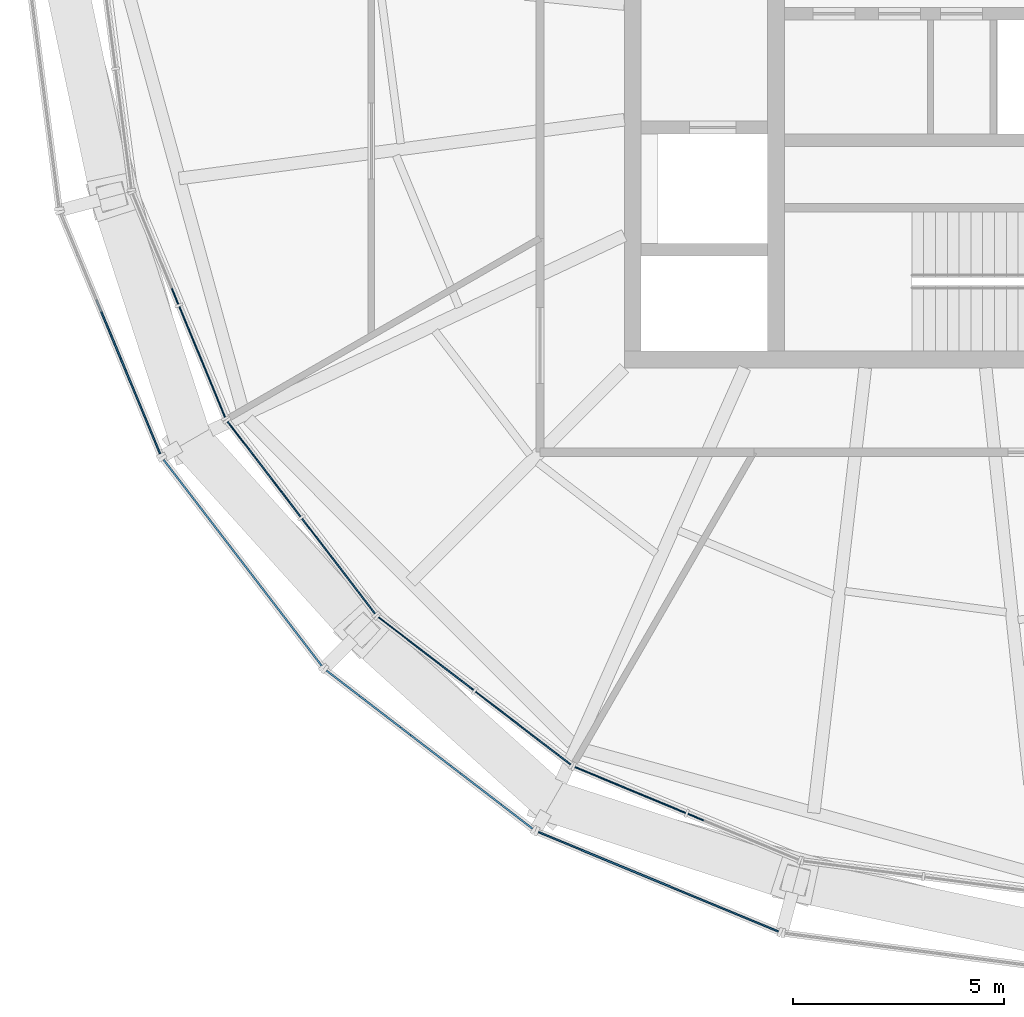
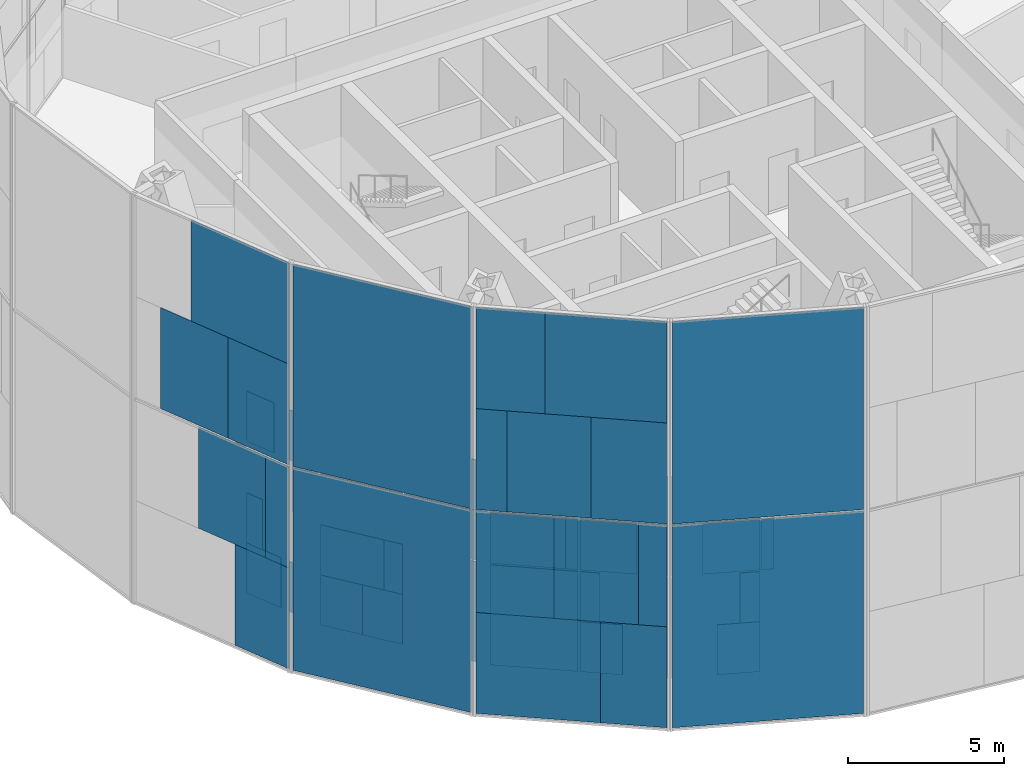
# One storey, part 9 of 22: 62 plates, 8 elements without a shape of their own.
"""IFC4 building model written with IfcOpenShell, lengths in metres."""

from ifc_helpers import new_model, si_unit, direction, frame, origin, origin_2d, place, context, subcontext, project, spatial, rectangle, extrude, material, layer, layer_set, type_object, element, aggregate, save


model = new_model("IFC4")

# Units and contexts
model_context = context("Model", 3, precision=1e-05, world=origin(), true_north=direction((0.0, 1.0)))
body_context = subcontext(model_context, "Body", "Model", "MODEL_VIEW")
ifc_project = project(units=[si_unit("LENGTHUNIT", "METRE"), si_unit("AREAUNIT", "SQUARE_METRE"), si_unit("VOLUMEUNIT", "CUBIC_METRE"), si_unit("PLANEANGLEUNIT", "RADIAN"), si_unit("MASSUNIT", "GRAM", prefix="KILO")], contexts=[model_context])

# Site, building, storey
site_placement = place(None, origin())
site = spatial("IfcSite", under=ifc_project, at=site_placement, CompositionType="ELEMENT")
building_placement = place(site_placement, origin())
building = spatial("IfcBuilding", under=site, at=building_placement, Name="Golbaran Civic Tower", CompositionType="ELEMENT")
storey_placement = place(building_placement, frame((0.0, 0.0, 248.0)))
storey = spatial("IfcBuildingStorey", under=building, at=storey_placement, Name="L60", CompositionType="ELEMENT", Elevation=248.0)

# Curtain wall, plates
ifc_material_1 = material(Name="Aluminium and glass", Category="aluminium")
curtain_wall_type_1 = type_object("IfcCurtainWallType", Name="INNER SKIN CURTAIN WALL EXECUTIVE", PredefinedType="NOTDEFINED", material=ifc_material_1)
curtain_wall_1_placement = place(storey_placement, origin())
curtain_wall_1 = element("IfcCurtainWall", 1, at=curtain_wall_1_placement, inside=storey, type_object=curtain_wall_type_1, Name="Inner skin L60 facet 14 CW2", ObjectType="INNER SKIN", PredefinedType="USERDEFINED")
ifc_material_2 = material(Name="Clear insulating glass", Category="glass")
ifc_layer_1 = layer(ifc_material_2, 0.031982421875, Name="Clear insulating glass")
ifc_layer_set_1 = layer_set([ifc_layer_1], Name="Clear insulating glass")
plate_type_1 = type_object("IfcPlateType", Name="INNER SKIN CURTAIN WALL EXECUTIVE GLAZED PANEL", PredefinedType="CURTAIN_PANEL", material=ifc_layer_set_1)
plate_1_placement = place(storey_placement, frame((-20.289306640625, -9.18505859375, 0.06005859375), z_axis=(0.0, 0.0, 1.0), x_axis=(0.382683432381, -0.923879532505, 0.0)))
plate_1 = element("IfcPlate", 2, at=plate_1_placement, type_object=plate_type_1, Name="CW2 panel 2.1 part 1", PredefinedType="CURTAIN_PANEL", context=body_context, shape_type="SweptSolid", body=[
    extrude(rectangle(XDim=1.383056640625, YDim=0.031982421875, at=origin_2d()), origin(), (0.0, 0.0, 1.0), 1.955078125),
])
plate_2_placement = place(storey_placement, frame((-20.4306640625, -8.84375, 2.014892578125), z_axis=(0.0, 0.0, 1.0), x_axis=(0.382683432381, -0.923879532505, 0.0)))
plate_2 = element("IfcPlate", 3, at=plate_2_placement, type_object=plate_type_1, Name="CW2 panel 2.1 part 3", PredefinedType="CURTAIN_PANEL", context=body_context, shape_type="SweptSolid", body=[
    extrude(rectangle(XDim=0.64404296875, YDim=0.031982421875, at=origin_2d()), origin(), (0.0, 0.0, 1.0), 1.955078125),
])
plate_3_placement = place(storey_placement, frame((-19.656982421875, -10.712158203125, 4.030029296875), z_axis=(0.0, 0.0, 1.0), x_axis=(0.382683432381, -0.923879532505, 0.0)))
plate_3 = element("IfcPlate", 4, at=plate_3_placement, type_object=plate_type_1, Name="CW2 panel 2.2 part 2", PredefinedType="CURTAIN_PANEL", context=body_context, shape_type="SweptSolid", body=[
    extrude(rectangle(XDim=0.99267578125, YDim=0.031982421875, at=origin_2d()), origin(), (0.0, 0.0, 1.0), 1.955078125),
])
plate_4_placement = place(storey_placement, frame((-19.798583984375, -10.3701171875, 5.98486328125), z_axis=(0.0, 0.0, 1.0), x_axis=(0.382683432381, -0.923879532505, 0.0)))
plate_4 = element("IfcPlate", 5, at=plate_4_placement, type_object=plate_type_1, Name="CW2 panel 2.2 part 4", PredefinedType="CURTAIN_PANEL", context=body_context, shape_type="SweptSolid", body=[
    extrude(rectangle(XDim=1.732666015625, YDim=0.031982421875, at=origin_2d()), origin(), (0.0, 0.0, 1.0), 1.955078125),
])

curtain_wall_2_placement = place(storey_placement, origin())
curtain_wall_2 = element("IfcCurtainWall", 6, at=curtain_wall_2_placement, inside=storey, type_object=curtain_wall_type_1, Name="Inner skin L60 facet 15 CW2", ObjectType="INNER SKIN", PredefinedType="USERDEFINED")
plate_5_placement = place(storey_placement, frame((-18.099365234375, -12.978271484375, 0.06005859375), z_axis=(0.0, 0.0, 1.0), x_axis=(0.608761429078, -0.793353340238, 0.0)))
plate_5 = element("IfcPlate", 7, at=plate_5_placement, type_object=plate_type_1, Name="CW2 panel 1.1 part 2", PredefinedType="CURTAIN_PANEL", context=body_context, shape_type="SweptSolid", body=[
    extrude(rectangle(XDim=1.383544921875, YDim=0.031982421875, at=origin_2d()), origin(), (0.0, 0.0, 1.0), 1.955078125),
])
plate_6_placement = place(storey_placement, frame((-17.87451171875, -13.271484375, 2.014892578125), z_axis=(0.0, 0.0, 1.0), x_axis=(0.608761429078, -0.793353340238, 0.0)))
plate_6 = element("IfcPlate", 8, at=plate_6_placement, type_object=plate_type_1, Name="CW2 panel 1.1 part 4", PredefinedType="CURTAIN_PANEL", context=body_context, shape_type="SweptSolid", body=[
    extrude(rectangle(XDim=0.64453125, YDim=0.031982421875, at=origin_2d()), origin(), (0.0, 0.0, 1.0), 1.955078125),
])
plate_7_placement = place(storey_placement, frame((-19.105224609375, -11.66748046875, 4.030029296875), z_axis=(0.0, 0.0, 1.0), x_axis=(0.608761429078, -0.793353340238, 0.0)))
plate_7 = element("IfcPlate", 9, at=plate_7_placement, type_object=plate_type_1, Name="CW2 panel 1.2 part 1", PredefinedType="CURTAIN_PANEL", context=body_context, shape_type="SweptSolid", body=[
    extrude(rectangle(XDim=0.992919921875, YDim=0.031982421875, at=origin_2d()), origin(), (0.0, 0.0, 1.0), 1.955078125),
])
plate_8_placement = place(storey_placement, frame((-18.88037109375, -11.960693359375, 5.98486328125), z_axis=(0.0, 0.0, 1.0), x_axis=(0.608761429078, -0.793353340238, 0.0)))
plate_8 = element("IfcPlate", 10, at=plate_8_placement, type_object=plate_type_1, Name="CW2 panel 1.2 part 3", PredefinedType="CURTAIN_PANEL", context=body_context, shape_type="SweptSolid", body=[
    extrude(rectangle(XDim=1.73193359375, YDim=0.031982421875, at=origin_2d()), origin(), (0.0, 0.0, 1.0), 1.955078125),
])
plate_9_placement = place(storey_placement, frame((-16.777099609375, -14.70166015625, 0.06005859375), z_axis=(0.0, 0.0, 1.0), x_axis=(0.608761429078, -0.793353340238, 0.0)))
plate_9 = element("IfcPlate", 11, at=plate_9_placement, type_object=plate_type_1, Name="CW2 panel 2.1", PredefinedType="CURTAIN_PANEL", context=body_context, shape_type="SweptSolid", body=[
    extrude(rectangle(XDim=2.840576171875, YDim=0.031982421875, at=origin_2d()), origin(), (0.0, 0.0, 1.0), 3.909912109375),
])
plate_10_placement = place(storey_placement, frame((-16.6552734375, -14.8603515625, 4.030029296875), z_axis=(0.0, 0.0, 1.0), x_axis=(0.608761429078, -0.793353340238, 0.0)))
plate_10 = element("IfcPlate", 12, at=plate_10_placement, type_object=plate_type_1, Name="CW2 panel 2.2 part 2", PredefinedType="CURTAIN_PANEL", context=body_context, shape_type="SweptSolid", body=[
    extrude(rectangle(XDim=2.440673828125, YDim=0.031982421875, at=origin_2d()), origin(), (0.0, 0.0, 1.0), 1.955078125),
])
plate_11_placement = place(storey_placement, frame((-16.534423828125, -15.017822265625, 5.98486328125), z_axis=(0.0, 0.0, 1.0), x_axis=(0.608761429078, -0.793353340238, 0.0)))
plate_11 = element("IfcPlate", 13, at=plate_11_placement, type_object=plate_type_1, Name="CW2 panel 2.2 part 4", PredefinedType="CURTAIN_PANEL", context=body_context, shape_type="SweptSolid", body=[
    extrude(rectangle(XDim=2.04345703125, YDim=0.031982421875, at=origin_2d()), origin(), (0.0, 0.0, 1.0), 1.955078125),
])

curtain_wall_3_placement = place(storey_placement, origin())
curtain_wall_3 = element("IfcCurtainWall", 14, at=curtain_wall_3_placement, inside=storey, type_object=curtain_wall_type_1, Name="Inner skin L60 facet 16 CW2", ObjectType="INNER SKIN", PredefinedType="USERDEFINED")
plate_12_placement = place(storey_placement, frame((-14.70166015625, -16.777099609375, 0.06005859375), z_axis=(0.0, 0.0, 1.0), x_axis=(0.793353340238, -0.608761429078, 0.0)))
plate_12 = element("IfcPlate", 15, at=plate_12_placement, type_object=plate_type_1, Name="CW2 panel 1.1", PredefinedType="CURTAIN_PANEL", context=body_context, shape_type="SweptSolid", body=[
    extrude(rectangle(XDim=2.840576171875, YDim=0.031982421875, at=origin_2d()), origin(), (0.0, 0.0, 1.0), 3.909912109375),
])
plate_13_placement = place(storey_placement, frame((-14.86083984375, -16.65478515625, 4.030029296875), z_axis=(0.0, 0.0, 1.0), x_axis=(0.793353340238, -0.608761429078, 0.0)))
plate_13 = element("IfcPlate", 16, at=plate_13_placement, type_object=plate_type_1, Name="CW2 panel 1.2 part 1", PredefinedType="CURTAIN_PANEL", context=body_context, shape_type="SweptSolid", body=[
    extrude(rectangle(XDim=2.43896484375, YDim=0.031982421875, at=origin_2d()), origin(), (0.0, 0.0, 1.0), 1.955078125),
])
plate_14_placement = place(storey_placement, frame((-15.01806640625, -16.534423828125, 5.98486328125), z_axis=(0.0, 0.0, 1.0), x_axis=(0.793353340238, -0.608761429078, 0.0)))
plate_14 = element("IfcPlate", 17, at=plate_14_placement, type_object=plate_type_1, Name="CW2 panel 1.2 part 3", PredefinedType="CURTAIN_PANEL", context=body_context, shape_type="SweptSolid", body=[
    extrude(rectangle(XDim=2.04296875, YDim=0.031982421875, at=origin_2d()), origin(), (0.0, 0.0, 1.0), 1.955078125),
])
plate_15_placement = place(storey_placement, frame((-12.978515625, -18.09912109375, 0.06005859375), z_axis=(0.0, 0.0, 1.0), x_axis=(0.793353340238, -0.608761429078, 0.0)))
plate_15 = element("IfcPlate", 18, at=plate_15_placement, type_object=plate_type_1, Name="CW2 panel 2.1 part 1", PredefinedType="CURTAIN_PANEL", context=body_context, shape_type="SweptSolid", body=[
    extrude(rectangle(XDim=1.383056640625, YDim=0.031982421875, at=origin_2d()), origin(), (0.0, 0.0, 1.0), 1.955078125),
])
plate_16_placement = place(storey_placement, frame((-13.271728515625, -17.874267578125, 2.014892578125), z_axis=(0.0, 0.0, 1.0), x_axis=(0.793353340238, -0.608761429078, 0.0)))
plate_16 = element("IfcPlate", 19, at=plate_16_placement, type_object=plate_type_1, Name="CW2 panel 2.1 part 3", PredefinedType="CURTAIN_PANEL", context=body_context, shape_type="SweptSolid", body=[
    extrude(rectangle(XDim=0.64404296875, YDim=0.031982421875, at=origin_2d()), origin(), (0.0, 0.0, 1.0), 1.955078125),
])
plate_17_placement = place(storey_placement, frame((-11.667236328125, -19.10546875, 4.030029296875), z_axis=(0.0, 0.0, 1.0), x_axis=(0.793353340238, -0.608761429078, 0.0)))
plate_17 = element("IfcPlate", 20, at=plate_17_placement, type_object=plate_type_1, Name="CW2 panel 2.2 part 2", PredefinedType="CURTAIN_PANEL", context=body_context, shape_type="SweptSolid", body=[
    extrude(rectangle(XDim=0.99267578125, YDim=0.031982421875, at=origin_2d()), origin(), (0.0, 0.0, 1.0), 1.955078125),
])
plate_18_placement = place(storey_placement, frame((-11.9609375, -18.880126953125, 5.98486328125), z_axis=(0.0, 0.0, 1.0), x_axis=(0.793353340238, -0.608761429078, 0.0)))
plate_18 = element("IfcPlate", 21, at=plate_18_placement, type_object=plate_type_1, Name="CW2 panel 2.2 part 4", PredefinedType="CURTAIN_PANEL", context=body_context, shape_type="SweptSolid", body=[
    extrude(rectangle(XDim=1.732666015625, YDim=0.031982421875, at=origin_2d()), origin(), (0.0, 0.0, 1.0), 1.955078125),
])

curtain_wall_4_placement = place(storey_placement, origin())
curtain_wall_4 = element("IfcCurtainWall", 22, at=curtain_wall_4_placement, inside=storey, type_object=curtain_wall_type_1, Name="Inner skin L60 facet 17 CW2", ObjectType="INNER SKIN", PredefinedType="USERDEFINED")
plate_19_placement = place(storey_placement, frame((-9.185302734375, -20.289306640625, 0.06005859375), z_axis=(0.0, 0.0, 1.0), x_axis=(0.923879532505, -0.382683432381, 0.0)))
plate_19 = element("IfcPlate", 23, at=plate_19_placement, type_object=plate_type_1, Name="CW2 panel 1.1 part 2", PredefinedType="CURTAIN_PANEL", context=body_context, shape_type="SweptSolid", body=[
    extrude(rectangle(XDim=1.383544921875, YDim=0.031982421875, at=origin_2d()), origin(), (0.0, 0.0, 1.0), 1.955078125),
])
plate_20_placement = place(storey_placement, frame((-8.843994140625, -20.4306640625, 2.014892578125), z_axis=(0.0, 0.0, 1.0), x_axis=(0.923879532505, -0.382683432381, 0.0)))
plate_20 = element("IfcPlate", 24, at=plate_20_placement, type_object=plate_type_1, Name="CW2 panel 1.1 part 4", PredefinedType="CURTAIN_PANEL", context=body_context, shape_type="SweptSolid", body=[
    extrude(rectangle(XDim=0.64453125, YDim=0.031982421875, at=origin_2d()), origin(), (0.0, 0.0, 1.0), 1.955078125),
])
plate_21_placement = place(storey_placement, frame((-10.7119140625, -19.656982421875, 4.030029296875), z_axis=(0.0, 0.0, 1.0), x_axis=(0.923879532505, -0.382683432381, 0.0)))
plate_21 = element("IfcPlate", 25, at=plate_21_placement, type_object=plate_type_1, Name="CW2 panel 1.2 part 1", PredefinedType="CURTAIN_PANEL", context=body_context, shape_type="SweptSolid", body=[
    extrude(rectangle(XDim=0.992919921875, YDim=0.031982421875, at=origin_2d()), origin(), (0.0, 0.0, 1.0), 1.955078125),
])
plate_22_placement = place(storey_placement, frame((-10.37060546875, -19.79833984375, 5.98486328125), z_axis=(0.0, 0.0, 1.0), x_axis=(0.923879532505, -0.382683432381, 0.0)))
plate_22 = element("IfcPlate", 26, at=plate_22_placement, type_object=plate_type_1, Name="CW2 panel 1.2 part 3", PredefinedType="CURTAIN_PANEL", context=body_context, shape_type="SweptSolid", body=[
    extrude(rectangle(XDim=1.73193359375, YDim=0.031982421875, at=origin_2d()), origin(), (0.0, 0.0, 1.0), 1.955078125),
])

# Plate
ifc_material_3 = material(Name="Aluminium faced opaque infill panel", Category="aluminium")
ifc_layer_2 = layer(ifc_material_3, 0.031982421875, Name="Aluminium faced opaque infill panel")
ifc_layer_set_2 = layer_set([ifc_layer_2], Name="Aluminium faced opaque infill panel")
plate_type_2 = type_object("IfcPlateType", Name="INNER SKIN CURTAIN WALL EXECUTIVE OPAQUE INFILL PANEL", PredefinedType="CURTAIN_PANEL", material=ifc_layer_set_2)
plate_23_placement = place(storey_placement, frame((-20.65380859375, -8.30517578125, 4.030029296875), z_axis=(0.0, 0.0, 1.0), x_axis=(0.382683432381, -0.923879532505, 0.0)))
plate_23 = element("IfcPlate", 27, at=plate_23_placement, type_object=plate_type_2, Name="CW2 infill panel 1.2 part 2", PredefinedType="CURTAIN_PANEL", context=body_context, shape_type="SweptSolid", body=[
    extrude(rectangle(XDim=0.401611328125, YDim=0.031982421875, at=origin_2d()), origin(), (0.0, 0.0, 1.0), 1.955078125),
])

plate_24_placement = place(storey_placement, frame((-19.745849609375, -10.497314453125, 0.06005859375), z_axis=(0.0, 0.0, 1.0), x_axis=(0.382683432381, -0.923879532505, 0.0)))
plate_24 = element("IfcPlate", 28, at=plate_24_placement, type_object=plate_type_2, Name="CW2 infill panel 2.1 part 2", PredefinedType="CURTAIN_PANEL", context=body_context, shape_type="SweptSolid", body=[
    extrude(rectangle(XDim=1.45751953125, YDim=0.031982421875, at=origin_2d()), origin(), (0.0, 0.0, 1.0), 1.955078125),
])

plate_25_placement = place(storey_placement, frame((-20.342041015625, -9.05810546875, 5.98486328125), z_axis=(0.0, 0.0, 1.0), x_axis=(0.382683432381, -0.923879532505, 0.0)))
plate_25 = element("IfcPlate", 29, at=plate_25_placement, type_object=plate_type_2, Name="CW2 infill panel 2.2 part 3", PredefinedType="CURTAIN_PANEL", context=body_context, shape_type="SweptSolid", body=[
    extrude(rectangle(XDim=1.10791015625, YDim=0.031982421875, at=origin_2d()), origin(), (0.0, 0.0, 1.0), 1.955078125),
])

aggregate(curtain_wall_1, [plate_23, plate_1, plate_24, plate_2, plate_3, plate_25, plate_4])

plate_26_placement = place(storey_placement, frame((-18.964111328125, -11.8515625, 0.06005859375), z_axis=(0.0, 0.0, 1.0), x_axis=(0.608761429078, -0.793353340238, 0.0)))
plate_26 = element("IfcPlate", 30, at=plate_26_placement, type_object=plate_type_2, Name="CW2 infill panel 1.1 part 1", PredefinedType="CURTAIN_PANEL", context=body_context, shape_type="SweptSolid", body=[
    extrude(rectangle(XDim=1.45703125, YDim=0.031982421875, at=origin_2d()), origin(), (0.0, 0.0, 1.0), 1.955078125),
])

plate_27_placement = place(storey_placement, frame((-18.739013671875, -12.144775390625, 2.014892578125), z_axis=(0.0, 0.0, 1.0), x_axis=(0.608761429078, -0.793353340238, 0.0)))
plate_27 = element("IfcPlate", 31, at=plate_27_placement, type_object=plate_type_2, Name="CW2 infill panel 1.1 part 3", PredefinedType="CURTAIN_PANEL", context=body_context, shape_type="SweptSolid", body=[
    extrude(rectangle(XDim=2.196044921875, YDim=0.031982421875, at=origin_2d()), origin(), (0.0, 0.0, 1.0), 1.955078125),
])

plate_28_placement = place(storey_placement, frame((-18.24072265625, -12.794189453125, 4.030029296875), z_axis=(0.0, 0.0, 1.0), x_axis=(0.608761429078, -0.793353340238, 0.0)))
plate_28 = element("IfcPlate", 32, at=plate_28_placement, type_object=plate_type_2, Name="CW2 infill panel 1.2 part 2", PredefinedType="CURTAIN_PANEL", context=body_context, shape_type="SweptSolid", body=[
    extrude(rectangle(XDim=1.84765625, YDim=0.031982421875, at=origin_2d()), origin(), (0.0, 0.0, 1.0), 1.955078125),
])

plate_29_placement = place(storey_placement, frame((-18.015625, -13.08740234375, 5.98486328125), z_axis=(0.0, 0.0, 1.0), x_axis=(0.608761429078, -0.793353340238, 0.0)))
plate_29 = element("IfcPlate", 33, at=plate_29_placement, type_object=plate_type_2, Name="CW2 infill panel 1.2 part 4", PredefinedType="CURTAIN_PANEL", context=body_context, shape_type="SweptSolid", body=[
    extrude(rectangle(XDim=1.108642578125, YDim=0.031982421875, at=origin_2d()), origin(), (0.0, 0.0, 1.0), 1.955078125),
])

plate_30_placement = place(storey_placement, frame((-17.52001953125, -13.7333984375, 4.030029296875), z_axis=(0.0, 0.0, 1.0), x_axis=(0.608761429078, -0.793353340238, 0.0)))
plate_30 = element("IfcPlate", 34, at=plate_30_placement, type_object=plate_type_2, Name="CW2 infill panel 2.2 part 1", PredefinedType="CURTAIN_PANEL", context=body_context, shape_type="SweptSolid", body=[
    extrude(rectangle(XDim=0.39990234375, YDim=0.031982421875, at=origin_2d()), origin(), (0.0, 0.0, 1.0), 1.955078125),
])

plate_31_placement = place(storey_placement, frame((-17.399169921875, -13.890869140625, 5.98486328125), z_axis=(0.0, 0.0, 1.0), x_axis=(0.608761429078, -0.793353340238, 0.0)))
plate_31 = element("IfcPlate", 35, at=plate_31_placement, type_object=plate_type_2, Name="CW2 infill panel 2.2 part 3", PredefinedType="CURTAIN_PANEL", context=body_context, shape_type="SweptSolid", body=[
    extrude(rectangle(XDim=0.797119140625, YDim=0.031982421875, at=origin_2d()), origin(), (0.0, 0.0, 1.0), 1.955078125),
])

aggregate(curtain_wall_2, [plate_26, plate_5, plate_27, plate_6, plate_7, plate_28, plate_8, plate_29, plate_9, plate_30, plate_10, plate_31, plate_11])

plate_32_placement = place(storey_placement, frame((-13.734130859375, -17.51953125, 4.030029296875), z_axis=(0.0, 0.0, 1.0), x_axis=(0.793353340238, -0.608761429078, 0.0)))
plate_32 = element("IfcPlate", 36, at=plate_32_placement, type_object=plate_type_2, Name="CW2 infill panel 1.2 part 2", PredefinedType="CURTAIN_PANEL", context=body_context, shape_type="SweptSolid", body=[
    extrude(rectangle(XDim=0.401611328125, YDim=0.031982421875, at=origin_2d()), origin(), (0.0, 0.0, 1.0), 1.955078125),
])

plate_33_placement = place(storey_placement, frame((-13.89111328125, -17.39892578125, 5.98486328125), z_axis=(0.0, 0.0, 1.0), x_axis=(0.793353340238, -0.608761429078, 0.0)))
plate_33 = element("IfcPlate", 37, at=plate_33_placement, type_object=plate_type_2, Name="CW2 infill panel 1.2 part 4", PredefinedType="CURTAIN_PANEL", context=body_context, shape_type="SweptSolid", body=[
    extrude(rectangle(XDim=0.797607421875, YDim=0.031982421875, at=origin_2d()), origin(), (0.0, 0.0, 1.0), 1.955078125),
])

plate_34_placement = place(storey_placement, frame((-11.851806640625, -18.9638671875, 0.06005859375), z_axis=(0.0, 0.0, 1.0), x_axis=(0.793353340238, -0.608761429078, 0.0)))
plate_34 = element("IfcPlate", 38, at=plate_34_placement, type_object=plate_type_2, Name="CW2 infill panel 2.1 part 2", PredefinedType="CURTAIN_PANEL", context=body_context, shape_type="SweptSolid", body=[
    extrude(rectangle(XDim=1.45751953125, YDim=0.031982421875, at=origin_2d()), origin(), (0.0, 0.0, 1.0), 1.955078125),
])

plate_35_placement = place(storey_placement, frame((-12.14501953125, -18.73876953125, 2.014892578125), z_axis=(0.0, 0.0, 1.0), x_axis=(0.793353340238, -0.608761429078, 0.0)))
plate_35 = element("IfcPlate", 39, at=plate_35_placement, type_object=plate_type_2, Name="CW2 infill panel 2.1 part 4", PredefinedType="CURTAIN_PANEL", context=body_context, shape_type="SweptSolid", body=[
    extrude(rectangle(XDim=2.196533203125, YDim=0.031982421875, at=origin_2d()), origin(), (0.0, 0.0, 1.0), 1.955078125),
])

plate_36_placement = place(storey_placement, frame((-12.794189453125, -18.24072265625, 4.030029296875), z_axis=(0.0, 0.0, 1.0), x_axis=(0.793353340238, -0.608761429078, 0.0)))
plate_36 = element("IfcPlate", 40, at=plate_36_placement, type_object=plate_type_2, Name="CW2 infill panel 2.2 part 1", PredefinedType="CURTAIN_PANEL", context=body_context, shape_type="SweptSolid", body=[
    extrude(rectangle(XDim=1.847900390625, YDim=0.031982421875, at=origin_2d()), origin(), (0.0, 0.0, 1.0), 1.955078125),
])

plate_37_placement = place(storey_placement, frame((-13.087646484375, -18.015380859375, 5.98486328125), z_axis=(0.0, 0.0, 1.0), x_axis=(0.793353340238, -0.608761429078, 0.0)))
plate_37 = element("IfcPlate", 41, at=plate_37_placement, type_object=plate_type_2, Name="CW2 infill panel 2.2 part 3", PredefinedType="CURTAIN_PANEL", context=body_context, shape_type="SweptSolid", body=[
    extrude(rectangle(XDim=1.10791015625, YDim=0.031982421875, at=origin_2d()), origin(), (0.0, 0.0, 1.0), 1.955078125),
])

aggregate(curtain_wall_3, [plate_12, plate_13, plate_32, plate_14, plate_33, plate_15, plate_34, plate_16, plate_35, plate_36, plate_17, plate_37, plate_18])

plate_38_placement = place(storey_placement, frame((-10.49755859375, -19.745849609375, 0.06005859375), z_axis=(0.0, 0.0, 1.0), x_axis=(0.923879532505, -0.382683432381, 0.0)))
plate_38 = element("IfcPlate", 42, at=plate_38_placement, type_object=plate_type_2, Name="CW2 infill panel 1.1 part 1", PredefinedType="CURTAIN_PANEL", context=body_context, shape_type="SweptSolid", body=[
    extrude(rectangle(XDim=1.45703125, YDim=0.031982421875, at=origin_2d()), origin(), (0.0, 0.0, 1.0), 1.955078125),
])

plate_39_placement = place(storey_placement, frame((-10.15625, -19.88720703125, 2.014892578125), z_axis=(0.0, 0.0, 1.0), x_axis=(0.923879532505, -0.382683432381, 0.0)))
plate_39 = element("IfcPlate", 43, at=plate_39_placement, type_object=plate_type_2, Name="CW2 infill panel 1.1 part 3", PredefinedType="CURTAIN_PANEL", context=body_context, shape_type="SweptSolid", body=[
    extrude(rectangle(XDim=2.196044921875, YDim=0.031982421875, at=origin_2d()), origin(), (0.0, 0.0, 1.0), 1.955078125),
])

plate_40_placement = place(storey_placement, frame((-9.399658203125, -20.200439453125, 4.030029296875), z_axis=(0.0, 0.0, 1.0), x_axis=(0.923879532505, -0.382683432381, 0.0)))
plate_40 = element("IfcPlate", 44, at=plate_40_placement, type_object=plate_type_2, Name="CW2 infill panel 1.2 part 2", PredefinedType="CURTAIN_PANEL", context=body_context, shape_type="SweptSolid", body=[
    extrude(rectangle(XDim=1.84765625, YDim=0.031982421875, at=origin_2d()), origin(), (0.0, 0.0, 1.0), 1.955078125),
])

plate_41_placement = place(storey_placement, frame((-9.058349609375, -20.341796875, 5.98486328125), z_axis=(0.0, 0.0, 1.0), x_axis=(0.923879532505, -0.382683432381, 0.0)))
plate_41 = element("IfcPlate", 45, at=plate_41_placement, type_object=plate_type_2, Name="CW2 infill panel 1.2 part 4", PredefinedType="CURTAIN_PANEL", context=body_context, shape_type="SweptSolid", body=[
    extrude(rectangle(XDim=1.108642578125, YDim=0.031982421875, at=origin_2d()), origin(), (0.0, 0.0, 1.0), 1.955078125),
])

plate_42_placement = place(storey_placement, frame((-8.305908203125, -20.653564453125, 4.030029296875), z_axis=(0.0, 0.0, 1.0), x_axis=(0.923879532505, -0.382683432381, 0.0)))
plate_42 = element("IfcPlate", 46, at=plate_42_placement, type_object=plate_type_2, Name="CW2 infill panel 2.2 part 1", PredefinedType="CURTAIN_PANEL", context=body_context, shape_type="SweptSolid", body=[
    extrude(rectangle(XDim=0.39990234375, YDim=0.031982421875, at=origin_2d()), origin(), (0.0, 0.0, 1.0), 1.955078125),
])

aggregate(curtain_wall_4, [plate_38, plate_19, plate_39, plate_20, plate_21, plate_40, plate_22, plate_41, plate_42])

# Curtain wall, plates
curtain_wall_type_2 = type_object("IfcCurtainWallType", Name="OUTER SKIN TERRACOTTA SCREEN", PredefinedType="NOTDEFINED", material=ifc_material_1)
curtain_wall_5_placement = place(storey_placement, origin())
curtain_wall_5 = element("IfcCurtainWall", 47, at=curtain_wall_5_placement, inside=storey, type_object=curtain_wall_type_2, Name="Outer skin L60 facet 14 CW3", ObjectType="OUTER SKIN", PredefinedType="USERDEFINED")
ifc_material_4 = material(Name="Clear laminated glass", Category="glass")
ifc_layer_3 = layer(ifc_material_4, 0.0400390625, Name="Clear laminated glass")
ifc_layer_set_3 = layer_set([ifc_layer_3], Name="Clear laminated glass")
plate_type_3 = type_object("IfcPlateType", Name="OUTER SKIN CLEAR GLASS PANEL", PredefinedType="CURTAIN_PANEL", material=ifc_layer_set_3)
plate_43_placement = place(storey_placement, frame((-21.1865234375, -11.607421875, 3.31005859375), z_axis=(0.0, 0.0, 1.0), x_axis=(0.382683432349, -0.923879532518, 0.0)))
plate_43 = element("IfcPlate", 48, at=plate_43_placement, type_object=plate_type_3, Name="CW3 panel 1.1 part 5", PredefinedType="CURTAIN_PANEL", context=body_context, shape_type="SweptSolid", body=[
    extrude(rectangle(XDim=0.931396484375, YDim=0.0400390625, at=origin_2d()), origin(), (0.0, 0.0, 1.0), 3.93994140625),
])
plate_44_placement = place(storey_placement, frame((-21.4775390625, -10.90478515625, 7.330078125), z_axis=(0.0, 0.0, 1.0), x_axis=(0.382683432349, -0.923879532518, 0.0)))
plate_44 = element("IfcPlate", 49, at=plate_44_placement, type_object=plate_type_3, Name="CW3 panel 1.2 part 3", PredefinedType="CURTAIN_PANEL", context=body_context, shape_type="SweptSolid", body=[
    extrude(rectangle(XDim=2.452392578125, YDim=0.0400390625, at=origin_2d()), origin(), (0.0, 0.0, 1.0), 3.93994140625),
])
plate_45_placement = place(storey_placement, frame((-21.76416015625, -10.212646484375, 11.27001953125), z_axis=(0.0, 0.0, 1.0), x_axis=(0.382683432349, -0.923879532518, 0.0)))
plate_45 = element("IfcPlate", 50, at=plate_45_placement, type_object=plate_type_3, Name="CW3 panel 1.2 part 5", PredefinedType="CURTAIN_PANEL", context=body_context, shape_type="SweptSolid", body=[
    extrude(rectangle(XDim=3.950439453125, YDim=0.0400390625, at=origin_2d()), origin(), (0.0, 0.0, 1.0), 3.93994140625),
])

curtain_wall_6_placement = place(storey_placement, origin())
curtain_wall_6 = element("IfcCurtainWall", 51, at=curtain_wall_6_placement, inside=storey, type_object=curtain_wall_type_2, Name="Outer skin L60 facet 16 CW3", ObjectType="OUTER SKIN", PredefinedType="USERDEFINED")
plate_46_placement = place(storey_placement, frame((-15.47607421875, -18.39599609375, -0.6298828125), z_axis=(0.0, 0.0, 1.0), x_axis=(0.793353340323, -0.608761428967, 0.0)))
plate_46 = element("IfcPlate", 52, at=plate_46_placement, type_object=plate_type_3, Name="CW3 panel 1.1 part 1", PredefinedType="CURTAIN_PANEL", context=body_context, shape_type="SweptSolid", body=[
    extrude(rectangle(XDim=4.0048828125, YDim=0.0400390625, at=origin_2d()), origin(), (0.0, 0.0, 1.0), 3.93994140625),
])
plate_47_placement = place(storey_placement, frame((-16.067138671875, -17.9423828125, 3.31005859375), z_axis=(0.0, 0.0, 1.0), x_axis=(0.793353340323, -0.608761428967, 0.0)))
plate_47 = element("IfcPlate", 53, at=plate_47_placement, type_object=plate_type_3, Name="CW3 panel 1.1 part 3", PredefinedType="CURTAIN_PANEL", context=body_context, shape_type="SweptSolid", body=[
    extrude(rectangle(XDim=2.514892578125, YDim=0.0400390625, at=origin_2d()), origin(), (0.0, 0.0, 1.0), 3.93994140625),
])
plate_48_placement = place(storey_placement, frame((-12.54443359375, -20.6455078125, 3.31005859375), z_axis=(0.0, 0.0, 1.0), x_axis=(0.793353340323, -0.608761428967, 0.0)))
plate_48 = element("IfcPlate", 54, at=plate_48_placement, type_object=plate_type_3, Name="CW3 panel 1.1 part 5", PredefinedType="CURTAIN_PANEL", context=body_context, shape_type="SweptSolid", body=[
    extrude(rectangle(XDim=0.931396484375, YDim=0.0400390625, at=origin_2d()), origin(), (0.0, 0.0, 1.0), 3.93994140625),
])
plate_49_placement = place(storey_placement, frame((-16.670166015625, -17.479736328125, 7.330078125), z_axis=(0.0, 0.0, 1.0), x_axis=(0.793353340323, -0.608761428967, 0.0)))
plate_49 = element("IfcPlate", 55, at=plate_49_placement, type_object=plate_type_3, Name="CW3 panel 1.2 part 1", PredefinedType="CURTAIN_PANEL", context=body_context, shape_type="SweptSolid", body=[
    extrude(rectangle(XDim=0.9951171875, YDim=0.0400390625, at=origin_2d()), origin(), (0.0, 0.0, 1.0), 3.93994140625),
])
plate_50_placement = place(storey_placement, frame((-13.147705078125, -20.1826171875, 7.330078125), z_axis=(0.0, 0.0, 1.0), x_axis=(0.793353340323, -0.608761428967, 0.0)))
plate_50 = element("IfcPlate", 56, at=plate_50_placement, type_object=plate_type_3, Name="CW3 panel 1.2 part 3", PredefinedType="CURTAIN_PANEL", context=body_context, shape_type="SweptSolid", body=[
    extrude(rectangle(XDim=2.452392578125, YDim=0.0400390625, at=origin_2d()), origin(), (0.0, 0.0, 1.0), 3.93994140625),
])
plate_51_placement = place(storey_placement, frame((-13.741943359375, -19.7265625, 11.27001953125), z_axis=(0.0, 0.0, 1.0), x_axis=(0.793353340323, -0.608761428967, 0.0)))
plate_51 = element("IfcPlate", 57, at=plate_51_placement, type_object=plate_type_3, Name="CW3 panel 1.2 part 5", PredefinedType="CURTAIN_PANEL", context=body_context, shape_type="SweptSolid", body=[
    extrude(rectangle(XDim=3.950439453125, YDim=0.0400390625, at=origin_2d()), origin(), (0.0, 0.0, 1.0), 3.93994140625),
])

# Plate
ifc_material_5 = material(Name="Terracotta baguette screen", Category="masonry")
ifc_layer_4 = layer(ifc_material_5, 0.0400390625, Name="Terracotta baguette screen")
ifc_layer_set_4 = layer_set([ifc_layer_4], Name="Terracotta baguette screen")
plate_type_4 = type_object("IfcPlateType", Name="OUTER SKIN TERRACOTTA INFILL PANEL", PredefinedType="CURTAIN_PANEL", material=ifc_layer_set_4)
plate_52_placement = place(storey_placement, frame((-21.42138671875, -11.04052734375, -0.6298828125), z_axis=(0.0, 0.0, 1.0), x_axis=(0.382683432349, -0.923879532518, 0.0)))
plate_52 = element("IfcPlate", 58, at=plate_52_placement, type_object=plate_type_4, Name="CW3 infill panel 1.1 part 2", PredefinedType="CURTAIN_PANEL", context=body_context, shape_type="SweptSolid", body=[
    extrude(rectangle(XDim=2.158447265625, YDim=0.0400390625, at=origin_2d()), origin(), (0.0, 0.0, 1.0), 3.93994140625),
])

plate_53_placement = place(storey_placement, frame((-21.884765625, -9.921875, 3.31005859375), z_axis=(0.0, 0.0, 1.0), x_axis=(0.382683432349, -0.923879532518, 0.0)))
plate_53 = element("IfcPlate", 59, at=plate_53_placement, type_object=plate_type_4, Name="CW3 infill panel 1.1 part 4", PredefinedType="CURTAIN_PANEL", context=body_context, shape_type="SweptSolid", body=[
    extrude(rectangle(XDim=2.717041015625, YDim=0.0400390625, at=origin_2d()), origin(), (0.0, 0.0, 1.0), 3.93994140625),
])

plate_54_placement = place(storey_placement, frame((-22.466552734375, -8.51708984375, 7.330078125), z_axis=(0.0, 0.0, 1.0), x_axis=(0.382683432349, -0.923879532518, 0.0)))
plate_54 = element("IfcPlate", 60, at=plate_54_placement, type_object=plate_type_4, Name="CW3 infill panel 1.2 part 2", PredefinedType="CURTAIN_PANEL", context=body_context, shape_type="SweptSolid", body=[
    extrude(rectangle(XDim=2.716064453125, YDim=0.0400390625, at=origin_2d()), origin(), (0.0, 0.0, 1.0), 3.93994140625),
])

aggregate(curtain_wall_5, [plate_52, plate_53, plate_43, plate_54, plate_44, plate_45])

plate_55_placement = place(storey_placement, frame((-13.03125, -20.27197265625, -0.6298828125), z_axis=(0.0, 0.0, 1.0), x_axis=(0.793353340323, -0.608761428967, 0.0)))
plate_55 = element("IfcPlate", 61, at=plate_55_placement, type_object=plate_type_4, Name="CW3 infill panel 1.1 part 2", PredefinedType="CURTAIN_PANEL", context=body_context, shape_type="SweptSolid", body=[
    extrude(rectangle(XDim=2.158447265625, YDim=0.0400390625, at=origin_2d()), origin(), (0.0, 0.0, 1.0), 3.93994140625),
])

plate_56_placement = place(storey_placement, frame((-13.99169921875, -19.534912109375, 3.31005859375), z_axis=(0.0, 0.0, 1.0), x_axis=(0.793353340323, -0.608761428967, 0.0)))
plate_56 = element("IfcPlate", 62, at=plate_56_placement, type_object=plate_type_4, Name="CW3 infill panel 1.1 part 4", PredefinedType="CURTAIN_PANEL", context=body_context, shape_type="SweptSolid", body=[
    extrude(rectangle(XDim=2.717041015625, YDim=0.0400390625, at=origin_2d()), origin(), (0.0, 0.0, 1.0), 3.93994140625),
])

plate_57_placement = place(storey_placement, frame((-15.197998046875, -18.609375, 7.330078125), z_axis=(0.0, 0.0, 1.0), x_axis=(0.793353340323, -0.608761428967, 0.0)))
plate_57 = element("IfcPlate", 63, at=plate_57_placement, type_object=plate_type_4, Name="CW3 infill panel 1.2 part 2", PredefinedType="CURTAIN_PANEL", context=body_context, shape_type="SweptSolid", body=[
    extrude(rectangle(XDim=2.716064453125, YDim=0.0400390625, at=origin_2d()), origin(), (0.0, 0.0, 1.0), 3.93994140625),
])

plate_58_placement = place(storey_placement, frame((-16.18701171875, -17.8505859375, 11.27001953125), z_axis=(0.0, 0.0, 1.0), x_axis=(0.793353340323, -0.608761428967, 0.0)))
plate_58 = element("IfcPlate", 64, at=plate_58_placement, type_object=plate_type_4, Name="CW3 infill panel 1.2 part 4", PredefinedType="CURTAIN_PANEL", context=body_context, shape_type="SweptSolid", body=[
    extrude(rectangle(XDim=2.212890625, YDim=0.0400390625, at=origin_2d()), origin(), (0.0, 0.0, 1.0), 3.93994140625),
])

aggregate(curtain_wall_6, [plate_46, plate_55, plate_47, plate_56, plate_48, plate_49, plate_57, plate_50, plate_58, plate_51])

# Curtain wall, plates
curtain_wall_7_placement = place(storey_placement, origin())
curtain_wall_7 = element("IfcCurtainWall", 65, at=curtain_wall_7_placement, inside=storey, type_object=curtain_wall_type_2, Name="Outer skin L60 facet 15 CW3", ObjectType="OUTER SKIN", PredefinedType="USERDEFINED")
ifc_layer_5 = layer(ifc_material_5, 0.0400390625, Name="Terracotta baguette screen")
ifc_layer_set_5 = layer_set([ifc_layer_5], Name="Terracotta baguette screen")
plate_type_5 = type_object("IfcPlateType", Name="OUTER SKIN TERRACOTTA SCREEN PANEL", PredefinedType="CURTAIN_PANEL", material=ifc_layer_set_5)
plate_59_placement = place(storey_placement, frame((-19.052978515625, -14.619873046875, -0.6298828125), z_axis=(0.0, 0.0, 1.0), x_axis=(0.608761428967, -0.793353340323, 0.0)))
plate_59 = element("IfcPlate", 66, at=plate_59_placement, type_object=plate_type_5, Name="CW3 terracotta screen panel 1.1", PredefinedType="CURTAIN_PANEL", context=body_context, shape_type="SweptSolid", body=[
    extrude(rectangle(XDim=6.16357421875, YDim=0.0400390625, at=origin_2d()), origin(), (0.0, 0.0, 1.0), 7.8798828125),
])
plate_60_placement = place(storey_placement, frame((-19.052978515625, -14.619873046875, 7.330078125), z_axis=(0.0, 0.0, 1.0), x_axis=(0.608761428967, -0.793353340323, 0.0)))
plate_60 = element("IfcPlate", 67, at=plate_60_placement, type_object=plate_type_5, Name="CW3 terracotta screen panel 1.2", PredefinedType="CURTAIN_PANEL", context=body_context, shape_type="SweptSolid", body=[
    extrude(rectangle(XDim=6.16357421875, YDim=0.0400390625, at=origin_2d()), origin(), (0.0, 0.0, 1.0), 7.8798828125),
])
aggregate(curtain_wall_7, [plate_59, plate_60])

curtain_wall_8_placement = place(storey_placement, origin())
curtain_wall_8 = element("IfcCurtainWall", 68, at=curtain_wall_8_placement, inside=storey, type_object=curtain_wall_type_2, Name="Outer skin L60 facet 17 CW3", ObjectType="OUTER SKIN", PredefinedType="USERDEFINED")
plate_61_placement = place(storey_placement, frame((-9.1904296875, -22.187744140625, -0.6298828125), z_axis=(0.0, 0.0, 1.0), x_axis=(0.923879532518, -0.382683432349, 0.0)))
plate_61 = element("IfcPlate", 69, at=plate_61_placement, type_object=plate_type_5, Name="CW3 terracotta screen panel 1.1", PredefinedType="CURTAIN_PANEL", context=body_context, shape_type="SweptSolid", body=[
    extrude(rectangle(XDim=6.16357421875, YDim=0.0400390625, at=origin_2d()), origin(), (0.0, 0.0, 1.0), 7.8798828125),
])
plate_62_placement = place(storey_placement, frame((-9.1904296875, -22.187744140625, 7.330078125), z_axis=(0.0, 0.0, 1.0), x_axis=(0.923879532518, -0.382683432349, 0.0)))
plate_62 = element("IfcPlate", 70, at=plate_62_placement, type_object=plate_type_5, Name="CW3 terracotta screen panel 1.2", PredefinedType="CURTAIN_PANEL", context=body_context, shape_type="SweptSolid", body=[
    extrude(rectangle(XDim=6.16357421875, YDim=0.0400390625, at=origin_2d()), origin(), (0.0, 0.0, 1.0), 7.8798828125),
])
aggregate(curtain_wall_8, [plate_61, plate_62])

save(model, "model.ifc")
